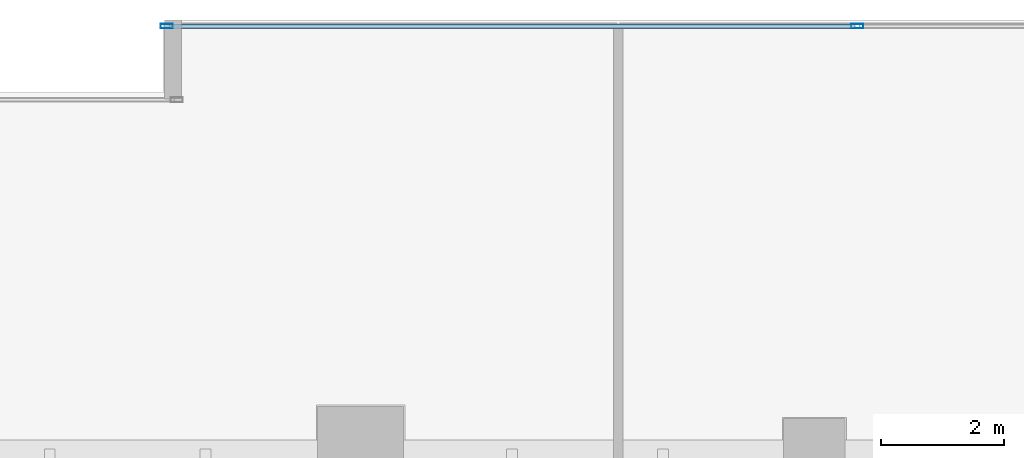
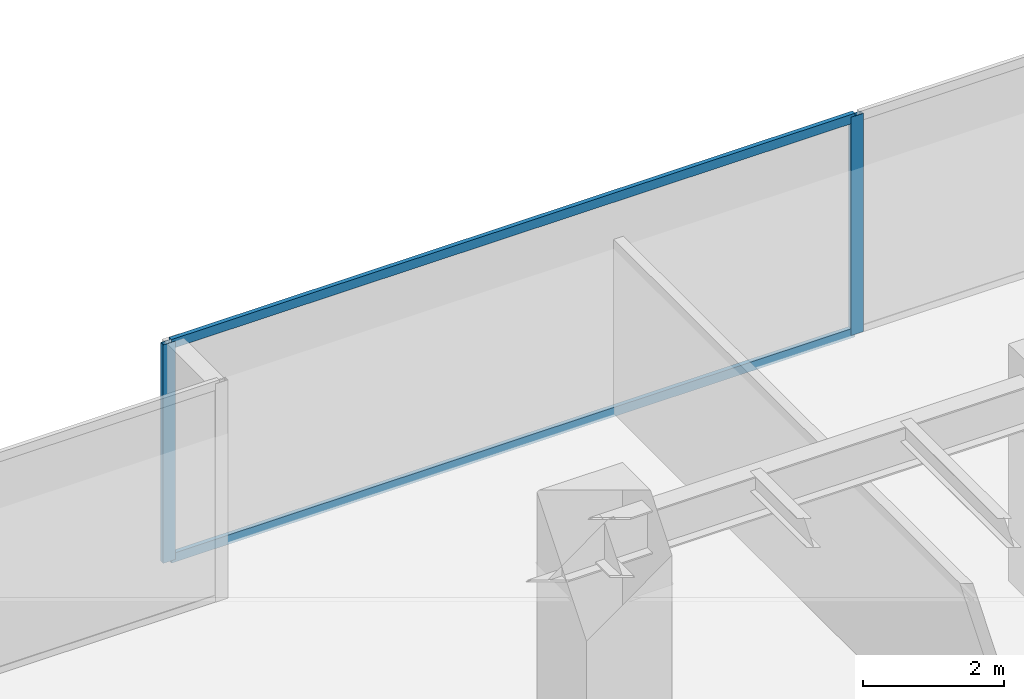
# One storey, part 22 of 36: 4 members, 1 element without a shape of its own.
"""IFC4 building model written with IfcOpenShell, lengths in metres."""

from ifc_helpers import new_model, si_unit, direction, frame, origin, origin_2d, place, context, subcontext, project, spatial, hollow_rectangle, extrude, source, transform, mapped, material, layer, layer_set, material_profile, profile_set, type_object, type_shapes, element, aggregate, save


model = new_model("IFC4")

# Units and contexts
model_context = context("Model", 3, precision=1e-05, world=origin(), true_north=direction((0.0, 1.0)))
body_context = subcontext(model_context, "Body", "Model", "MODEL_VIEW")
ifc_project = project(units=[si_unit("LENGTHUNIT", "METRE"), si_unit("AREAUNIT", "SQUARE_METRE"), si_unit("VOLUMEUNIT", "CUBIC_METRE"), si_unit("PLANEANGLEUNIT", "RADIAN"), si_unit("MASSUNIT", "GRAM", prefix="KILO")], contexts=[model_context])

# Site, building, storey
site_placement = place(None, origin())
site = spatial("IfcSite", under=ifc_project, at=site_placement, CompositionType="ELEMENT")
building_placement = place(site_placement, origin())
building = spatial("IfcBuilding", under=site, at=building_placement, Name="Haelvirn Gate Laboratories", CompositionType="ELEMENT")
storey_placement = place(building_placement, frame((0.0, 0.0, 53.89990234375)))
storey = spatial("IfcBuildingStorey", under=building, at=storey_placement, Name="L13", CompositionType="ELEMENT", Elevation=53.89990234375)

# Curtain wall, members
ifc_material_1 = material(Name="Anodised bronze unitised aluminium & triple low-E glass", Category="aluminium")
ifc_layer = layer(ifc_material_1, 0.18408203125, Name="CW-SYS-2")
ifc_layer_set = layer_set([ifc_layer], Name="Anodised bronze unitised aluminium & triple low-E glass")
curtain_wall_type = type_object("IfcCurtainWallType", Name="CW-SYS-2", PredefinedType="NOTDEFINED", material=ifc_layer_set)
curtain_wall_placement = place(storey_placement, origin())
curtain_wall = element("IfcCurtainWall", 1, at=curtain_wall_placement, inside=storey, type_object=curtain_wall_type, Name="L13 Unitised Curtain Wall CW-L13-P0-E10-1", PredefinedType="NOTDEFINED")
ifc_material_2 = material(Name="Extruded aluminium 6063-T6 (anodised bronze)", Category="aluminium")
ifc_material_profile_1 = material_profile(ifc_material_2, hollow_rectangle(XDim=0.074951171875, YDim=0.199951171875, WallThickness=0.0048828125, at=origin_2d()), Name="CWM-200x75x5")
ifc_profile_set_1 = profile_set([ifc_material_profile_1], Name="Extruded aluminium 6063-T6 (anodised bronze)")
member_type_1 = type_object("IfcMemberType", Name="CWM-T200", PredefinedType="MULLION", material=ifc_profile_set_1)
shared_shape_1 = source(origin(), body_context, "Body", "SweptSolid", [
    extrude(hollow_rectangle(XDim=0.074951171875, YDim=0.199951171875, WallThickness=0.0048828125, at=origin_2d()), origin(), (0.0, 0.0, 1.0), 3.780029296875),
])
type_shapes(member_type_1, [shared_shape_1])
member_1_placement = place(storey_placement, frame((49.4375, 48.5, 0.0), z_axis=(0.0, 0.0, 1.0), x_axis=(0.0, 1.0, 0.0)))
member_1 = element("IfcMember", 2, at=member_1_placement, type_object=member_type_1, Name="CW2 mullion 1", PredefinedType="MULLION", context=body_context, shape_type="MappedRepresentation", body=[
    mapped(shared_shape_1, transform((0.0, 0.0, 0.0), scale=1.0)),
])
member_2_placement = place(storey_placement, frame((60.699951171875, 48.5, 0.0), z_axis=(0.0, 0.0, 1.0), x_axis=(0.0, 1.0, 0.0)))
member_2 = element("IfcMember", 3, at=member_2_placement, type_object=member_type_1, Name="CW2 mullion 2", PredefinedType="MULLION", context=body_context, shape_type="MappedRepresentation", body=[
    mapped(shared_shape_1, transform((0.0, 0.0, 0.0), scale=1.0)),
])
ifc_material_profile_2 = material_profile(ifc_material_2, hollow_rectangle(XDim=0.070068359375, YDim=0.159912109375, WallThickness=0.0048828125, at=origin_2d()), Name="CWT-160x70x5")
ifc_profile_set_2 = profile_set([ifc_material_profile_2], Name="Extruded aluminium 6063-T6 (anodised bronze)")
member_type_2 = type_object("IfcMemberType", Name="CWT-T160", PredefinedType="USERDEFINED", material=ifc_profile_set_2)
shared_shape_2 = source(origin(), body_context, "Body", "SweptSolid", [
    extrude(hollow_rectangle(XDim=0.070068359375, YDim=0.159912109375, WallThickness=0.0048828125, at=origin_2d()), origin(), (0.0, 0.0, 1.0), 11.1875),
])
type_shapes(member_type_2, [shared_shape_2])
member_3_placement = place(storey_placement, frame((49.47509765625, 48.5, 0.03515625), z_axis=(1.0, 0.0, 0.0), x_axis=(0.0, 1.0, 0.0)))
member_3 = element("IfcMember", 4, at=member_3_placement, type_object=member_type_2, Name="CW2 transom 1.1", ObjectType="TRANSOM", PredefinedType="USERDEFINED", context=body_context, shape_type="MappedRepresentation", body=[
    mapped(shared_shape_2, transform((0.0, 0.0, 0.0), scale=1.0)),
])
member_4_placement = place(storey_placement, frame((49.47509765625, 48.5, 3.7451171875), z_axis=(1.0, 0.0, 0.0), x_axis=(0.0, 1.0, 0.0)))
member_4 = element("IfcMember", 5, at=member_4_placement, type_object=member_type_2, Name="CW2 transom 1.2", ObjectType="TRANSOM", PredefinedType="USERDEFINED", context=body_context, shape_type="MappedRepresentation", body=[
    mapped(shared_shape_2, transform((0.0, 0.0, 0.0), scale=1.0)),
])
aggregate(curtain_wall, [member_1, member_2, member_3, member_4])

save(model, "model.ifc")
